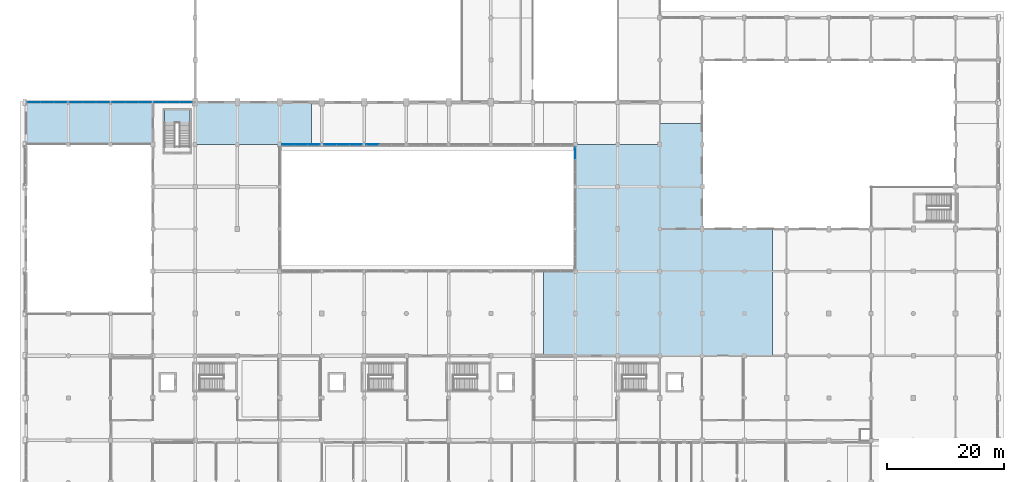
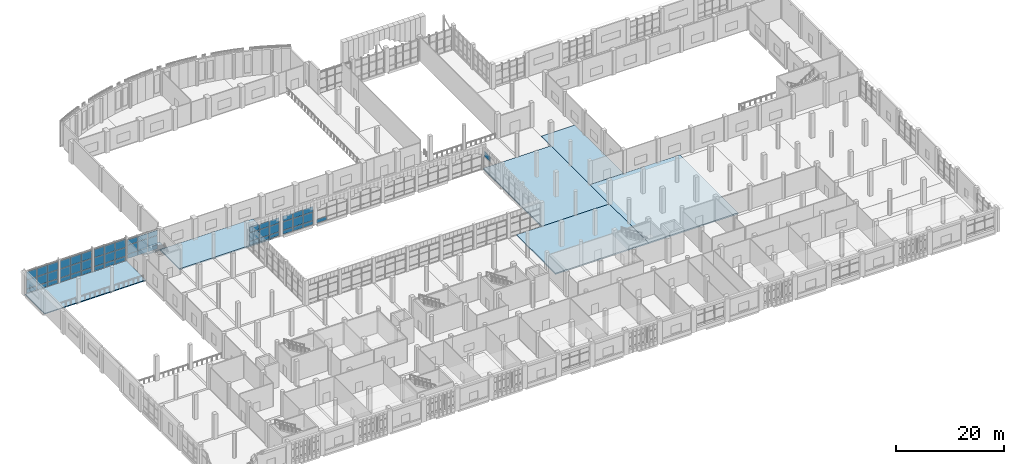
# One storey, part 39 of 80: 56 plates, 7 slabs, 9 elements without a shape of their own.
"""IFC4 building model written with IfcOpenShell, lengths in metres."""

from ifc_helpers import new_model, si_unit, direction, frame, origin, origin_2d, place, context, subcontext, project, spatial, polyline, rectangle, outline, extrude, material, layer, layer_set, type_object, element, aggregate, save


model = new_model("IFC4")

# Units and contexts
model_context = context("Model", 3, precision=1e-05, world=origin(), true_north=direction((0.0, 1.0)))
body_context = subcontext(model_context, "Body", "Model", "MODEL_VIEW")
ifc_project = project(units=[si_unit("LENGTHUNIT", "METRE"), si_unit("AREAUNIT", "SQUARE_METRE"), si_unit("VOLUMEUNIT", "CUBIC_METRE"), si_unit("PLANEANGLEUNIT", "RADIAN"), si_unit("MASSUNIT", "GRAM", prefix="KILO")], contexts=[model_context])

# Site, building, storey
site_placement = place(None, origin())
site = spatial("IfcSite", under=ifc_project, at=site_placement, CompositionType="ELEMENT")
building_placement = place(site_placement, origin())
building = spatial("IfcBuilding", under=site, at=building_placement, Name="Sardonyx Promenade Sports Hall", CompositionType="ELEMENT")
storey_placement = place(building_placement, frame((0.0, 0.0, 5.60009765625)))
storey = spatial("IfcBuildingStorey", under=building, at=storey_placement, Name="L01", CompositionType="ELEMENT", Elevation=5.60009765625)

# Curtain wall, plates
ifc_material_1 = material(Name="Aluminium 6063-T6", Category="aluminium")
curtain_wall_type_1 = type_object("IfcCurtainWallType", Name="CW_Riwaq_L01_640", PredefinedType="USERDEFINED", material=ifc_material_1)
curtain_wall_1_placement = place(storey_placement, origin())
curtain_wall_1 = element("IfcCurtainWall", 1, at=curtain_wall_1_placement, inside=storey, type_object=curtain_wall_type_1, Name="Curtain wall CW18 cw:L01:127", ObjectType="CURTAIN WALL", PredefinedType="USERDEFINED")
ifc_material_2 = material(Name="Double-glazed acoustic IGU 32 mm", Category="glass")
ifc_layer_1 = layer(ifc_material_2, 0.031982421875)
ifc_layer_set_1 = layer_set([ifc_layer_1], Name="CW_Pan_Glz_32")
plate_type_1 = type_object("IfcPlateType", Name="CW_Pan_Glz_32", PredefinedType="CURTAIN_PANEL", material=ifc_layer_set_1)
plate_1_placement = place(storey_placement, frame((48.981689453125, 64.800048828125, 0.06494140625), z_axis=(0.0, 0.0, 1.0), x_axis=(-1.0, 0.0, 0.0)))
plate_1 = element("IfcPlate", 2, at=plate_1_placement, type_object=plate_type_1, Name="Curtain panel CP02 cw:L01:127 #1", PredefinedType="CURTAIN_PANEL", context=body_context, shape_type="SweptSolid", body=[
    extrude(rectangle(XDim=2.066650390625, YDim=0.031982421875, at=origin_2d()), origin(), (0.0, 0.0, 1.0), 0.8525390625),
])
plate_2_placement = place(storey_placement, frame((48.981689453125, 64.800048828125, 0.982421875), z_axis=(0.0, 0.0, 1.0), x_axis=(-1.0, 0.0, 0.0)))
plate_2 = element("IfcPlate", 3, at=plate_2_placement, type_object=plate_type_1, Name="Curtain panel CP02 cw:L01:127 #2", PredefinedType="CURTAIN_PANEL", context=body_context, shape_type="SweptSolid", body=[
    extrude(rectangle(XDim=2.066650390625, YDim=0.031982421875, at=origin_2d()), origin(), (0.0, 0.0, 1.0), 1.885009765625),
])
plate_3_placement = place(storey_placement, frame((48.981689453125, 64.800048828125, 2.9326171875), z_axis=(0.0, 0.0, 1.0), x_axis=(-1.0, 0.0, 0.0)))
plate_3 = element("IfcPlate", 4, at=plate_3_placement, type_object=plate_type_1, Name="Curtain panel CP02 cw:L01:127 #3", PredefinedType="CURTAIN_PANEL", context=body_context, shape_type="SweptSolid", body=[
    extrude(rectangle(XDim=2.066650390625, YDim=0.031982421875, at=origin_2d()), origin(), (0.0, 0.0, 1.0), 1.202392578125),
])
plate_4_placement = place(storey_placement, frame((46.85009765625, 64.800048828125, 0.06494140625), z_axis=(0.0, 0.0, 1.0), x_axis=(-1.0, 0.0, 0.0)))
plate_4 = element("IfcPlate", 5, at=plate_4_placement, type_object=plate_type_1, Name="Curtain panel CP02 cw:L01:127 #4", PredefinedType="CURTAIN_PANEL", context=body_context, shape_type="SweptSolid", body=[
    extrude(rectangle(XDim=2.066650390625, YDim=0.031982421875, at=origin_2d()), origin(), (0.0, 0.0, 1.0), 0.8525390625),
])
plate_5_placement = place(storey_placement, frame((46.85009765625, 64.800048828125, 0.982421875), z_axis=(0.0, 0.0, 1.0), x_axis=(-1.0, 0.0, 0.0)))
plate_5 = element("IfcPlate", 6, at=plate_5_placement, type_object=plate_type_1, Name="Curtain panel CP02 cw:L01:127 #5", PredefinedType="CURTAIN_PANEL", context=body_context, shape_type="SweptSolid", body=[
    extrude(rectangle(XDim=2.066650390625, YDim=0.031982421875, at=origin_2d()), origin(), (0.0, 0.0, 1.0), 1.885009765625),
])
plate_6_placement = place(storey_placement, frame((46.85009765625, 64.800048828125, 2.9326171875), z_axis=(0.0, 0.0, 1.0), x_axis=(-1.0, 0.0, 0.0)))
plate_6 = element("IfcPlate", 7, at=plate_6_placement, type_object=plate_type_1, Name="Curtain panel CP02 cw:L01:127 #6", PredefinedType="CURTAIN_PANEL", context=body_context, shape_type="SweptSolid", body=[
    extrude(rectangle(XDim=2.066650390625, YDim=0.031982421875, at=origin_2d()), origin(), (0.0, 0.0, 1.0), 1.202392578125),
])
plate_7_placement = place(storey_placement, frame((44.71826171875, 64.800048828125, 0.06494140625), z_axis=(0.0, 0.0, 1.0), x_axis=(-1.0, 0.0, 0.0)))
plate_7 = element("IfcPlate", 8, at=plate_7_placement, type_object=plate_type_1, Name="Curtain panel CP02 cw:L01:127 #7", PredefinedType="CURTAIN_PANEL", context=body_context, shape_type="SweptSolid", body=[
    extrude(rectangle(XDim=2.066650390625, YDim=0.031982421875, at=origin_2d()), origin(), (0.0, 0.0, 1.0), 0.8525390625),
])
plate_8_placement = place(storey_placement, frame((44.71826171875, 64.800048828125, 0.982421875), z_axis=(0.0, 0.0, 1.0), x_axis=(-1.0, 0.0, 0.0)))
plate_8 = element("IfcPlate", 9, at=plate_8_placement, type_object=plate_type_1, Name="Curtain panel CP02 cw:L01:127 #8", PredefinedType="CURTAIN_PANEL", context=body_context, shape_type="SweptSolid", body=[
    extrude(rectangle(XDim=2.066650390625, YDim=0.031982421875, at=origin_2d()), origin(), (0.0, 0.0, 1.0), 1.885009765625),
])
plate_9_placement = place(storey_placement, frame((44.71826171875, 64.800048828125, 2.9326171875), z_axis=(0.0, 0.0, 1.0), x_axis=(-1.0, 0.0, 0.0)))
plate_9 = element("IfcPlate", 10, at=plate_9_placement, type_object=plate_type_1, Name="Curtain panel CP02 cw:L01:127 #9", PredefinedType="CURTAIN_PANEL", context=body_context, shape_type="SweptSolid", body=[
    extrude(rectangle(XDim=2.066650390625, YDim=0.031982421875, at=origin_2d()), origin(), (0.0, 0.0, 1.0), 1.202392578125),
])
aggregate(curtain_wall_1, [plate_1, plate_2, plate_3, plate_4, plate_5, plate_6, plate_7, plate_8, plate_9])

curtain_wall_2_placement = place(storey_placement, origin())
curtain_wall_2 = element("IfcCurtainWall", 11, at=curtain_wall_2_placement, inside=storey, type_object=curtain_wall_type_1, Name="Curtain wall CW18 cw:L01:129", ObjectType="CURTAIN WALL", PredefinedType="USERDEFINED")
plate_10_placement = place(storey_placement, frame((56.1650390625, 64.800048828125, 0.06494140625), z_axis=(0.0, 0.0, 1.0), x_axis=(-1.0, 0.0, 0.0)))
plate_10 = element("IfcPlate", 12, at=plate_10_placement, type_object=plate_type_1, Name="Curtain panel CP02 cw:L01:129 #1", PredefinedType="CURTAIN_PANEL", context=body_context, shape_type="SweptSolid", body=[
    extrude(rectangle(XDim=2.10009765625, YDim=0.031982421875, at=origin_2d()), origin(), (0.0, 0.0, 1.0), 0.8525390625),
])
plate_11_placement = place(storey_placement, frame((56.1650390625, 64.800048828125, 0.982421875), z_axis=(0.0, 0.0, 1.0), x_axis=(-1.0, 0.0, 0.0)))
plate_11 = element("IfcPlate", 13, at=plate_11_placement, type_object=plate_type_1, Name="Curtain panel CP02 cw:L01:129 #2", PredefinedType="CURTAIN_PANEL", context=body_context, shape_type="SweptSolid", body=[
    extrude(rectangle(XDim=2.10009765625, YDim=0.031982421875, at=origin_2d()), origin(), (0.0, 0.0, 1.0), 1.885009765625),
])
plate_12_placement = place(storey_placement, frame((56.1650390625, 64.800048828125, 2.9326171875), z_axis=(0.0, 0.0, 1.0), x_axis=(-1.0, 0.0, 0.0)))
plate_12 = element("IfcPlate", 14, at=plate_12_placement, type_object=plate_type_1, Name="Curtain panel CP02 cw:L01:129 #3", PredefinedType="CURTAIN_PANEL", context=body_context, shape_type="SweptSolid", body=[
    extrude(rectangle(XDim=2.10009765625, YDim=0.031982421875, at=origin_2d()), origin(), (0.0, 0.0, 1.0), 1.202392578125),
])
plate_13_placement = place(storey_placement, frame((54.0, 64.800048828125, 0.06494140625), z_axis=(0.0, 0.0, 1.0), x_axis=(-1.0, 0.0, 0.0)))
plate_13 = element("IfcPlate", 15, at=plate_13_placement, type_object=plate_type_1, Name="Curtain panel CP02 cw:L01:129 #4", PredefinedType="CURTAIN_PANEL", context=body_context, shape_type="SweptSolid", body=[
    extrude(rectangle(XDim=2.10009765625, YDim=0.031982421875, at=origin_2d()), origin(), (0.0, 0.0, 1.0), 0.8525390625),
])
plate_14_placement = place(storey_placement, frame((54.0, 64.800048828125, 0.982421875), z_axis=(0.0, 0.0, 1.0), x_axis=(-1.0, 0.0, 0.0)))
plate_14 = element("IfcPlate", 16, at=plate_14_placement, type_object=plate_type_1, Name="Curtain panel CP02 cw:L01:129 #5", PredefinedType="CURTAIN_PANEL", context=body_context, shape_type="SweptSolid", body=[
    extrude(rectangle(XDim=2.10009765625, YDim=0.031982421875, at=origin_2d()), origin(), (0.0, 0.0, 1.0), 1.885009765625),
])
plate_15_placement = place(storey_placement, frame((54.0, 64.800048828125, 2.9326171875), z_axis=(0.0, 0.0, 1.0), x_axis=(-1.0, 0.0, 0.0)))
plate_15 = element("IfcPlate", 17, at=plate_15_placement, type_object=plate_type_1, Name="Curtain panel CP02 cw:L01:129 #6", PredefinedType="CURTAIN_PANEL", context=body_context, shape_type="SweptSolid", body=[
    extrude(rectangle(XDim=2.10009765625, YDim=0.031982421875, at=origin_2d()), origin(), (0.0, 0.0, 1.0), 1.202392578125),
])
plate_16_placement = place(storey_placement, frame((51.8349609375, 64.800048828125, 0.06494140625), z_axis=(0.0, 0.0, 1.0), x_axis=(-1.0, 0.0, 0.0)))
plate_16 = element("IfcPlate", 18, at=plate_16_placement, type_object=plate_type_1, Name="Curtain panel CP02 cw:L01:129 #7", PredefinedType="CURTAIN_PANEL", context=body_context, shape_type="SweptSolid", body=[
    extrude(rectangle(XDim=2.10009765625, YDim=0.031982421875, at=origin_2d()), origin(), (0.0, 0.0, 1.0), 0.8525390625),
])
plate_17_placement = place(storey_placement, frame((51.8349609375, 64.800048828125, 0.982421875), z_axis=(0.0, 0.0, 1.0), x_axis=(-1.0, 0.0, 0.0)))
plate_17 = element("IfcPlate", 19, at=plate_17_placement, type_object=plate_type_1, Name="Curtain panel CP02 cw:L01:129 #8", PredefinedType="CURTAIN_PANEL", context=body_context, shape_type="SweptSolid", body=[
    extrude(rectangle(XDim=2.10009765625, YDim=0.031982421875, at=origin_2d()), origin(), (0.0, 0.0, 1.0), 1.885009765625),
])
plate_18_placement = place(storey_placement, frame((51.8349609375, 64.800048828125, 2.9326171875), z_axis=(0.0, 0.0, 1.0), x_axis=(-1.0, 0.0, 0.0)))
plate_18 = element("IfcPlate", 20, at=plate_18_placement, type_object=plate_type_1, Name="Curtain panel CP02 cw:L01:129 #9", PredefinedType="CURTAIN_PANEL", context=body_context, shape_type="SweptSolid", body=[
    extrude(rectangle(XDim=2.10009765625, YDim=0.031982421875, at=origin_2d()), origin(), (0.0, 0.0, 1.0), 1.202392578125),
])
aggregate(curtain_wall_2, [plate_10, plate_11, plate_12, plate_13, plate_14, plate_15, plate_16, plate_17, plate_18])

# Curtain wall, plate
curtain_wall_3_placement = place(storey_placement, origin())
curtain_wall_3 = element("IfcCurtainWall", 21, at=curtain_wall_3_placement, inside=storey, type_object=curtain_wall_type_1, Name="Curtain wall CW18 cw:L01:131", ObjectType="CURTAIN WALL", PredefinedType="USERDEFINED")
plate_19_placement = place(storey_placement, frame((59.034912109375, 64.800048828125, 0.06494140625), z_axis=(0.0, 0.0, 1.0), x_axis=(-1.0, 0.0, 0.0)))
plate_19 = element("IfcPlate", 22, at=plate_19_placement, type_object=plate_type_1, Name="Curtain panel CP02 cw:L01:131 #7", PredefinedType="CURTAIN_PANEL", context=body_context, shape_type="SweptSolid", body=[
    extrude(rectangle(XDim=2.10009765625, YDim=0.031982421875, at=origin_2d()), origin(), (0.0, 0.0, 1.0), 0.8525390625),
])
aggregate(curtain_wall_3, [plate_19])

curtain_wall_4_placement = place(storey_placement, origin())
curtain_wall_4 = element("IfcCurtainWall", 23, at=curtain_wall_4_placement, inside=storey, type_object=curtain_wall_type_1, Name="Curtain wall CW18 cw:L01:145", ObjectType="CURTAIN WALL", PredefinedType="USERDEFINED")
plate_20_placement = place(storey_placement, frame((93.60009765625, 63.3232421875, 2.9326171875), z_axis=(0.0, 0.0, 1.0), x_axis=(0.0, 1.0, 0.0)))
plate_20 = element("IfcPlate", 24, at=plate_20_placement, type_object=plate_type_1, Name="Curtain panel CP02 cw:L01:145 #9", PredefinedType="CURTAIN_PANEL", context=body_context, shape_type="SweptSolid", body=[
    extrude(rectangle(XDim=2.083251953125, YDim=0.031982421875, at=origin_2d()), origin(), (0.0, 0.0, 1.0), 1.202392578125),
])
aggregate(curtain_wall_4, [plate_20])

# Curtain wall, plates
ifc_material_3 = material(Name="Aluminium 6063-T6", Category="aluminium")
curtain_wall_type_2 = type_object("IfcCurtainWallType", Name="CW_Climb_North_L01", PredefinedType="USERDEFINED", material=ifc_material_3)
curtain_wall_5_placement = place(storey_placement, origin())
curtain_wall_5 = element("IfcCurtainWall", 25, at=curtain_wall_5_placement, inside=storey, type_object=curtain_wall_type_2, Name="Curtain wall CW19 cw:L01:072", ObjectType="CURTAIN WALL", PredefinedType="USERDEFINED")
ifc_material_4 = material(Name="Laminated safety sports IGU 36 mm", Category="glass")
ifc_layer_2 = layer(ifc_material_4, 0.035888671875)
ifc_layer_set_2 = layer_set([ifc_layer_2], Name="CW_Pan_Glz_36")
plate_type_2 = type_object("IfcPlateType", Name="CW_Pan_Glz_36", PredefinedType="CURTAIN_PANEL", material=ifc_layer_set_2)
plate_21_placement = place(storey_placement, frame((1.336669921875, 72.0, 0.06982421875), z_axis=(0.0, 0.0, 1.0), x_axis=(1.0, 0.0, 0.0)))
plate_21 = element("IfcPlate", 26, at=plate_21_placement, type_object=plate_type_2, Name="Curtain panel CP03 cw:L01:072 #1", PredefinedType="CURTAIN_PANEL", context=body_context, shape_type="SweptSolid", body=[
    extrude(rectangle(XDim=2.193359375, YDim=0.035888671875, at=origin_2d()), origin(), (0.0, 0.0, 1.0), 0.945068359375),
])
plate_22_placement = place(storey_placement, frame((1.336669921875, 72.0, 1.0849609375), z_axis=(0.0, 0.0, 1.0), x_axis=(1.0, 0.0, 0.0)))
plate_22 = element("IfcPlate", 27, at=plate_22_placement, type_object=plate_type_2, Name="Curtain panel CP03 cw:L01:072 #2", PredefinedType="CURTAIN_PANEL", context=body_context, shape_type="SweptSolid", body=[
    extrude(rectangle(XDim=2.193359375, YDim=0.035888671875, at=origin_2d()), origin(), (0.0, 0.0, 1.0), 1.97998046875),
])
plate_23_placement = place(storey_placement, frame((1.336669921875, 72.0, 3.135009765625), z_axis=(0.0, 0.0, 1.0), x_axis=(1.0, 0.0, 0.0)))
plate_23 = element("IfcPlate", 28, at=plate_23_placement, type_object=plate_type_2, Name="Curtain panel CP03 cw:L01:072 #3", PredefinedType="CURTAIN_PANEL", context=body_context, shape_type="SweptSolid", body=[
    extrude(rectangle(XDim=2.193359375, YDim=0.035888671875, at=origin_2d()), origin(), (0.0, 0.0, 1.0), 1.794921875),
])
plate_24_placement = place(storey_placement, frame((3.60009765625, 72.0, 0.06982421875), z_axis=(0.0, 0.0, 1.0), x_axis=(1.0, 0.0, 0.0)))
plate_24 = element("IfcPlate", 29, at=plate_24_placement, type_object=plate_type_2, Name="Curtain panel CP03 cw:L01:072 #4", PredefinedType="CURTAIN_PANEL", context=body_context, shape_type="SweptSolid", body=[
    extrude(rectangle(XDim=2.193359375, YDim=0.035888671875, at=origin_2d()), origin(), (0.0, 0.0, 1.0), 0.945068359375),
])
plate_25_placement = place(storey_placement, frame((3.60009765625, 72.0, 1.0849609375), z_axis=(0.0, 0.0, 1.0), x_axis=(1.0, 0.0, 0.0)))
plate_25 = element("IfcPlate", 30, at=plate_25_placement, type_object=plate_type_2, Name="Curtain panel CP03 cw:L01:072 #5", PredefinedType="CURTAIN_PANEL", context=body_context, shape_type="SweptSolid", body=[
    extrude(rectangle(XDim=2.193359375, YDim=0.035888671875, at=origin_2d()), origin(), (0.0, 0.0, 1.0), 1.97998046875),
])
plate_26_placement = place(storey_placement, frame((3.60009765625, 72.0, 3.135009765625), z_axis=(0.0, 0.0, 1.0), x_axis=(1.0, 0.0, 0.0)))
plate_26 = element("IfcPlate", 31, at=plate_26_placement, type_object=plate_type_2, Name="Curtain panel CP03 cw:L01:072 #6", PredefinedType="CURTAIN_PANEL", context=body_context, shape_type="SweptSolid", body=[
    extrude(rectangle(XDim=2.193359375, YDim=0.035888671875, at=origin_2d()), origin(), (0.0, 0.0, 1.0), 1.794921875),
])
plate_27_placement = place(storey_placement, frame((5.86328125, 72.0, 0.06982421875), z_axis=(0.0, 0.0, 1.0), x_axis=(1.0, 0.0, 0.0)))
plate_27 = element("IfcPlate", 32, at=plate_27_placement, type_object=plate_type_2, Name="Curtain panel CP03 cw:L01:072 #7", PredefinedType="CURTAIN_PANEL", context=body_context, shape_type="SweptSolid", body=[
    extrude(rectangle(XDim=2.193359375, YDim=0.035888671875, at=origin_2d()), origin(), (0.0, 0.0, 1.0), 0.945068359375),
])
plate_28_placement = place(storey_placement, frame((5.86328125, 72.0, 1.0849609375), z_axis=(0.0, 0.0, 1.0), x_axis=(1.0, 0.0, 0.0)))
plate_28 = element("IfcPlate", 33, at=plate_28_placement, type_object=plate_type_2, Name="Curtain panel CP03 cw:L01:072 #8", PredefinedType="CURTAIN_PANEL", context=body_context, shape_type="SweptSolid", body=[
    extrude(rectangle(XDim=2.193359375, YDim=0.035888671875, at=origin_2d()), origin(), (0.0, 0.0, 1.0), 1.97998046875),
])
plate_29_placement = place(storey_placement, frame((5.86328125, 72.0, 3.135009765625), z_axis=(0.0, 0.0, 1.0), x_axis=(1.0, 0.0, 0.0)))
plate_29 = element("IfcPlate", 34, at=plate_29_placement, type_object=plate_type_2, Name="Curtain panel CP03 cw:L01:072 #9", PredefinedType="CURTAIN_PANEL", context=body_context, shape_type="SweptSolid", body=[
    extrude(rectangle(XDim=2.193359375, YDim=0.035888671875, at=origin_2d()), origin(), (0.0, 0.0, 1.0), 1.794921875),
])
aggregate(curtain_wall_5, [plate_21, plate_22, plate_23, plate_24, plate_25, plate_26, plate_27, plate_28, plate_29])

curtain_wall_6_placement = place(storey_placement, origin())
curtain_wall_6 = element("IfcCurtainWall", 35, at=curtain_wall_6_placement, inside=storey, type_object=curtain_wall_type_2, Name="Curtain wall CW19 cw:L01:073", ObjectType="CURTAIN WALL", PredefinedType="USERDEFINED")
plate_30_placement = place(storey_placement, frame((8.53662109375, 72.0, 0.06982421875), z_axis=(0.0, 0.0, 1.0), x_axis=(1.0, 0.0, 0.0)))
plate_30 = element("IfcPlate", 36, at=plate_30_placement, type_object=plate_type_2, Name="Curtain panel CP03 cw:L01:073 #1", PredefinedType="CURTAIN_PANEL", context=body_context, shape_type="SweptSolid", body=[
    extrude(rectangle(XDim=2.193359375, YDim=0.035888671875, at=origin_2d()), origin(), (0.0, 0.0, 1.0), 0.945068359375),
])
plate_31_placement = place(storey_placement, frame((8.53662109375, 72.0, 1.0849609375), z_axis=(0.0, 0.0, 1.0), x_axis=(1.0, 0.0, 0.0)))
plate_31 = element("IfcPlate", 37, at=plate_31_placement, type_object=plate_type_2, Name="Curtain panel CP03 cw:L01:073 #2", PredefinedType="CURTAIN_PANEL", context=body_context, shape_type="SweptSolid", body=[
    extrude(rectangle(XDim=2.193359375, YDim=0.035888671875, at=origin_2d()), origin(), (0.0, 0.0, 1.0), 1.97998046875),
])
plate_32_placement = place(storey_placement, frame((8.53662109375, 72.0, 3.135009765625), z_axis=(0.0, 0.0, 1.0), x_axis=(1.0, 0.0, 0.0)))
plate_32 = element("IfcPlate", 38, at=plate_32_placement, type_object=plate_type_2, Name="Curtain panel CP03 cw:L01:073 #3", PredefinedType="CURTAIN_PANEL", context=body_context, shape_type="SweptSolid", body=[
    extrude(rectangle(XDim=2.193359375, YDim=0.035888671875, at=origin_2d()), origin(), (0.0, 0.0, 1.0), 1.794921875),
])
plate_33_placement = place(storey_placement, frame((10.800048828125, 72.0, 0.06982421875), z_axis=(0.0, 0.0, 1.0), x_axis=(1.0, 0.0, 0.0)))
plate_33 = element("IfcPlate", 39, at=plate_33_placement, type_object=plate_type_2, Name="Curtain panel CP03 cw:L01:073 #4", PredefinedType="CURTAIN_PANEL", context=body_context, shape_type="SweptSolid", body=[
    extrude(rectangle(XDim=2.193359375, YDim=0.035888671875, at=origin_2d()), origin(), (0.0, 0.0, 1.0), 0.945068359375),
])
plate_34_placement = place(storey_placement, frame((10.800048828125, 72.0, 1.0849609375), z_axis=(0.0, 0.0, 1.0), x_axis=(1.0, 0.0, 0.0)))
plate_34 = element("IfcPlate", 40, at=plate_34_placement, type_object=plate_type_2, Name="Curtain panel CP03 cw:L01:073 #5", PredefinedType="CURTAIN_PANEL", context=body_context, shape_type="SweptSolid", body=[
    extrude(rectangle(XDim=2.193359375, YDim=0.035888671875, at=origin_2d()), origin(), (0.0, 0.0, 1.0), 1.97998046875),
])
plate_35_placement = place(storey_placement, frame((10.800048828125, 72.0, 3.135009765625), z_axis=(0.0, 0.0, 1.0), x_axis=(1.0, 0.0, 0.0)))
plate_35 = element("IfcPlate", 41, at=plate_35_placement, type_object=plate_type_2, Name="Curtain panel CP03 cw:L01:073 #6", PredefinedType="CURTAIN_PANEL", context=body_context, shape_type="SweptSolid", body=[
    extrude(rectangle(XDim=2.193359375, YDim=0.035888671875, at=origin_2d()), origin(), (0.0, 0.0, 1.0), 1.794921875),
])
plate_36_placement = place(storey_placement, frame((13.063232421875, 72.0, 0.06982421875), z_axis=(0.0, 0.0, 1.0), x_axis=(1.0, 0.0, 0.0)))
plate_36 = element("IfcPlate", 42, at=plate_36_placement, type_object=plate_type_2, Name="Curtain panel CP03 cw:L01:073 #7", PredefinedType="CURTAIN_PANEL", context=body_context, shape_type="SweptSolid", body=[
    extrude(rectangle(XDim=2.193359375, YDim=0.035888671875, at=origin_2d()), origin(), (0.0, 0.0, 1.0), 0.945068359375),
])
plate_37_placement = place(storey_placement, frame((13.063232421875, 72.0, 1.0849609375), z_axis=(0.0, 0.0, 1.0), x_axis=(1.0, 0.0, 0.0)))
plate_37 = element("IfcPlate", 43, at=plate_37_placement, type_object=plate_type_2, Name="Curtain panel CP03 cw:L01:073 #8", PredefinedType="CURTAIN_PANEL", context=body_context, shape_type="SweptSolid", body=[
    extrude(rectangle(XDim=2.193359375, YDim=0.035888671875, at=origin_2d()), origin(), (0.0, 0.0, 1.0), 1.97998046875),
])
plate_38_placement = place(storey_placement, frame((13.063232421875, 72.0, 3.135009765625), z_axis=(0.0, 0.0, 1.0), x_axis=(1.0, 0.0, 0.0)))
plate_38 = element("IfcPlate", 44, at=plate_38_placement, type_object=plate_type_2, Name="Curtain panel CP03 cw:L01:073 #9", PredefinedType="CURTAIN_PANEL", context=body_context, shape_type="SweptSolid", body=[
    extrude(rectangle(XDim=2.193359375, YDim=0.035888671875, at=origin_2d()), origin(), (0.0, 0.0, 1.0), 1.794921875),
])
aggregate(curtain_wall_6, [plate_30, plate_31, plate_32, plate_33, plate_34, plate_35, plate_36, plate_37, plate_38])

curtain_wall_7_placement = place(storey_placement, origin())
curtain_wall_7 = element("IfcCurtainWall", 45, at=curtain_wall_7_placement, inside=storey, type_object=curtain_wall_type_2, Name="Curtain wall CW19 cw:L01:074", ObjectType="CURTAIN WALL", PredefinedType="USERDEFINED")
plate_39_placement = place(storey_placement, frame((15.736572265625, 72.0, 0.06982421875), z_axis=(0.0, 0.0, 1.0), x_axis=(1.0, 0.0, 0.0)))
plate_39 = element("IfcPlate", 46, at=plate_39_placement, type_object=plate_type_2, Name="Curtain panel CP03 cw:L01:074 #1", PredefinedType="CURTAIN_PANEL", context=body_context, shape_type="SweptSolid", body=[
    extrude(rectangle(XDim=2.193359375, YDim=0.035888671875, at=origin_2d()), origin(), (0.0, 0.0, 1.0), 0.945068359375),
])
plate_40_placement = place(storey_placement, frame((15.736572265625, 72.0, 1.0849609375), z_axis=(0.0, 0.0, 1.0), x_axis=(1.0, 0.0, 0.0)))
plate_40 = element("IfcPlate", 47, at=plate_40_placement, type_object=plate_type_2, Name="Curtain panel CP03 cw:L01:074 #2", PredefinedType="CURTAIN_PANEL", context=body_context, shape_type="SweptSolid", body=[
    extrude(rectangle(XDim=2.193359375, YDim=0.035888671875, at=origin_2d()), origin(), (0.0, 0.0, 1.0), 1.97998046875),
])
plate_41_placement = place(storey_placement, frame((15.736572265625, 72.0, 3.135009765625), z_axis=(0.0, 0.0, 1.0), x_axis=(1.0, 0.0, 0.0)))
plate_41 = element("IfcPlate", 48, at=plate_41_placement, type_object=plate_type_2, Name="Curtain panel CP03 cw:L01:074 #3", PredefinedType="CURTAIN_PANEL", context=body_context, shape_type="SweptSolid", body=[
    extrude(rectangle(XDim=2.193359375, YDim=0.035888671875, at=origin_2d()), origin(), (0.0, 0.0, 1.0), 1.794921875),
])
plate_42_placement = place(storey_placement, frame((18.0, 72.0, 0.06982421875), z_axis=(0.0, 0.0, 1.0), x_axis=(1.0, 0.0, 0.0)))
plate_42 = element("IfcPlate", 49, at=plate_42_placement, type_object=plate_type_2, Name="Curtain panel CP03 cw:L01:074 #4", PredefinedType="CURTAIN_PANEL", context=body_context, shape_type="SweptSolid", body=[
    extrude(rectangle(XDim=2.193359375, YDim=0.035888671875, at=origin_2d()), origin(), (0.0, 0.0, 1.0), 0.945068359375),
])
plate_43_placement = place(storey_placement, frame((18.0, 72.0, 1.0849609375), z_axis=(0.0, 0.0, 1.0), x_axis=(1.0, 0.0, 0.0)))
plate_43 = element("IfcPlate", 50, at=plate_43_placement, type_object=plate_type_2, Name="Curtain panel CP03 cw:L01:074 #5", PredefinedType="CURTAIN_PANEL", context=body_context, shape_type="SweptSolid", body=[
    extrude(rectangle(XDim=2.193359375, YDim=0.035888671875, at=origin_2d()), origin(), (0.0, 0.0, 1.0), 1.97998046875),
])
plate_44_placement = place(storey_placement, frame((18.0, 72.0, 3.135009765625), z_axis=(0.0, 0.0, 1.0), x_axis=(1.0, 0.0, 0.0)))
plate_44 = element("IfcPlate", 51, at=plate_44_placement, type_object=plate_type_2, Name="Curtain panel CP03 cw:L01:074 #6", PredefinedType="CURTAIN_PANEL", context=body_context, shape_type="SweptSolid", body=[
    extrude(rectangle(XDim=2.193359375, YDim=0.035888671875, at=origin_2d()), origin(), (0.0, 0.0, 1.0), 1.794921875),
])
plate_45_placement = place(storey_placement, frame((20.263427734375, 72.0, 0.06982421875), z_axis=(0.0, 0.0, 1.0), x_axis=(1.0, 0.0, 0.0)))
plate_45 = element("IfcPlate", 52, at=plate_45_placement, type_object=plate_type_2, Name="Curtain panel CP03 cw:L01:074 #7", PredefinedType="CURTAIN_PANEL", context=body_context, shape_type="SweptSolid", body=[
    extrude(rectangle(XDim=2.193359375, YDim=0.035888671875, at=origin_2d()), origin(), (0.0, 0.0, 1.0), 0.945068359375),
])
plate_46_placement = place(storey_placement, frame((20.263427734375, 72.0, 1.0849609375), z_axis=(0.0, 0.0, 1.0), x_axis=(1.0, 0.0, 0.0)))
plate_46 = element("IfcPlate", 53, at=plate_46_placement, type_object=plate_type_2, Name="Curtain panel CP03 cw:L01:074 #8", PredefinedType="CURTAIN_PANEL", context=body_context, shape_type="SweptSolid", body=[
    extrude(rectangle(XDim=2.193359375, YDim=0.035888671875, at=origin_2d()), origin(), (0.0, 0.0, 1.0), 1.97998046875),
])
plate_47_placement = place(storey_placement, frame((20.263427734375, 72.0, 3.135009765625), z_axis=(0.0, 0.0, 1.0), x_axis=(1.0, 0.0, 0.0)))
plate_47 = element("IfcPlate", 54, at=plate_47_placement, type_object=plate_type_2, Name="Curtain panel CP03 cw:L01:074 #9", PredefinedType="CURTAIN_PANEL", context=body_context, shape_type="SweptSolid", body=[
    extrude(rectangle(XDim=2.193359375, YDim=0.035888671875, at=origin_2d()), origin(), (0.0, 0.0, 1.0), 1.794921875),
])
aggregate(curtain_wall_7, [plate_39, plate_40, plate_41, plate_42, plate_43, plate_44, plate_45, plate_46, plate_47])

curtain_wall_8_placement = place(storey_placement, origin())
curtain_wall_8 = element("IfcCurtainWall", 55, at=curtain_wall_8_placement, inside=storey, type_object=curtain_wall_type_2, Name="Curtain wall CW19 cw:L01:075", ObjectType="CURTAIN WALL", PredefinedType="USERDEFINED")
plate_48_placement = place(storey_placement, frame((22.88671875, 72.0, 0.36962890625), z_axis=(0.0, 0.0, 1.0), x_axis=(1.0, 0.0, 0.0)))
plate_48 = element("IfcPlate", 56, at=plate_48_placement, type_object=plate_type_2, Name="Curtain panel CP03 cw:L01:075 #1", PredefinedType="CURTAIN_PANEL", context=body_context, shape_type="SweptSolid", body=[
    extrude(rectangle(XDim=2.09326171875, YDim=0.035888671875, at=origin_2d()), origin(), (0.0, 0.0, 1.0), 0.945068359375),
])
plate_49_placement = place(storey_placement, frame((22.88671875, 72.0, 1.385009765625), z_axis=(0.0, 0.0, 1.0), x_axis=(1.0, 0.0, 0.0)))
plate_49 = element("IfcPlate", 57, at=plate_49_placement, type_object=plate_type_2, Name="Curtain panel CP03 cw:L01:075 #2", PredefinedType="CURTAIN_PANEL", context=body_context, shape_type="SweptSolid", body=[
    extrude(rectangle(XDim=2.09326171875, YDim=0.035888671875, at=origin_2d()), origin(), (0.0, 0.0, 1.0), 1.97998046875),
])
plate_50_placement = place(storey_placement, frame((22.88671875, 72.0, 3.43505859375), z_axis=(0.0, 0.0, 1.0), x_axis=(1.0, 0.0, 0.0)))
plate_50 = element("IfcPlate", 58, at=plate_50_placement, type_object=plate_type_2, Name="Curtain panel CP03 cw:L01:075 #3", PredefinedType="CURTAIN_PANEL", context=body_context, shape_type="SweptSolid", body=[
    extrude(rectangle(XDim=2.09326171875, YDim=0.035888671875, at=origin_2d()), origin(), (0.0, 0.0, 1.0), 1.179931640625),
])
plate_51_placement = place(storey_placement, frame((25.050048828125, 72.0, 0.36962890625), z_axis=(0.0, 0.0, 1.0), x_axis=(1.0, 0.0, 0.0)))
plate_51 = element("IfcPlate", 59, at=plate_51_placement, type_object=plate_type_2, Name="Curtain panel CP03 cw:L01:075 #4", PredefinedType="CURTAIN_PANEL", context=body_context, shape_type="SweptSolid", body=[
    extrude(rectangle(XDim=2.09326171875, YDim=0.035888671875, at=origin_2d()), origin(), (0.0, 0.0, 1.0), 0.945068359375),
])
plate_52_placement = place(storey_placement, frame((25.050048828125, 72.0, 1.385009765625), z_axis=(0.0, 0.0, 1.0), x_axis=(1.0, 0.0, 0.0)))
plate_52 = element("IfcPlate", 60, at=plate_52_placement, type_object=plate_type_2, Name="Curtain panel CP03 cw:L01:075 #5", PredefinedType="CURTAIN_PANEL", context=body_context, shape_type="SweptSolid", body=[
    extrude(rectangle(XDim=2.09326171875, YDim=0.035888671875, at=origin_2d()), origin(), (0.0, 0.0, 1.0), 1.97998046875),
])
plate_53_placement = place(storey_placement, frame((25.050048828125, 72.0, 3.43505859375), z_axis=(0.0, 0.0, 1.0), x_axis=(1.0, 0.0, 0.0)))
plate_53 = element("IfcPlate", 61, at=plate_53_placement, type_object=plate_type_2, Name="Curtain panel CP03 cw:L01:075 #6", PredefinedType="CURTAIN_PANEL", context=body_context, shape_type="SweptSolid", body=[
    extrude(rectangle(XDim=2.09326171875, YDim=0.035888671875, at=origin_2d()), origin(), (0.0, 0.0, 1.0), 1.179931640625),
])
plate_54_placement = place(storey_placement, frame((27.21337890625, 72.0, 0.36962890625), z_axis=(0.0, 0.0, 1.0), x_axis=(1.0, 0.0, 0.0)))
plate_54 = element("IfcPlate", 62, at=plate_54_placement, type_object=plate_type_2, Name="Curtain panel CP03 cw:L01:075 #7", PredefinedType="CURTAIN_PANEL", context=body_context, shape_type="SweptSolid", body=[
    extrude(rectangle(XDim=2.09326171875, YDim=0.035888671875, at=origin_2d()), origin(), (0.0, 0.0, 1.0), 0.945068359375),
])
plate_55_placement = place(storey_placement, frame((27.21337890625, 72.0, 1.385009765625), z_axis=(0.0, 0.0, 1.0), x_axis=(1.0, 0.0, 0.0)))
plate_55 = element("IfcPlate", 63, at=plate_55_placement, type_object=plate_type_2, Name="Curtain panel CP03 cw:L01:075 #8", PredefinedType="CURTAIN_PANEL", context=body_context, shape_type="SweptSolid", body=[
    extrude(rectangle(XDim=2.09326171875, YDim=0.035888671875, at=origin_2d()), origin(), (0.0, 0.0, 1.0), 1.97998046875),
])
plate_56_placement = place(storey_placement, frame((27.21337890625, 72.0, 3.43505859375), z_axis=(0.0, 0.0, 1.0), x_axis=(1.0, 0.0, 0.0)))
plate_56 = element("IfcPlate", 64, at=plate_56_placement, type_object=plate_type_2, Name="Curtain panel CP03 cw:L01:075 #9", PredefinedType="CURTAIN_PANEL", context=body_context, shape_type="SweptSolid", body=[
    extrude(rectangle(XDim=2.09326171875, YDim=0.035888671875, at=origin_2d()), origin(), (0.0, 0.0, 1.0), 1.179931640625),
])
aggregate(curtain_wall_8, [plate_48, plate_49, plate_50, plate_51, plate_52, plate_53, plate_54, plate_55, plate_56])

# Stair, slab
ifc_material_5 = material(Name="Concrete C40/50", Category="concrete")
stair_type = type_object("IfcStairType", Name="Stair_Esc_Std_560", PredefinedType="HALF_TURN_STAIR", material=ifc_material_5)
stair_placement = place(storey_placement, origin())
stair = element("IfcStair", 65, at=stair_placement, inside=storey, type_object=stair_type, Name="Protected escape stair ST7 (L01 to L02)", PredefinedType="HALF_TURN_STAIR")
ifc_material_6 = material(Name="Concrete C40/50", Category="concrete")
ifc_layer_3 = layer(ifc_material_6, 0.260009765625)
ifc_layer_set_3 = layer_set([ifc_layer_3], Name="Land_Stair_260")
slab_type_1 = type_object("IfcSlabType", Name="Land_Stair_260", PredefinedType="LANDING", material=ifc_layer_set_3)
slab_1_placement = place(storey_placement, frame((0.0, 0.0, 2.539794921875)))
slab_1 = element("IfcSlab", 66, at=slab_1_placement, type_object=slab_type_1, Name="Stair half-landing ST7 L01", PredefinedType="LANDING", context=body_context, shape_type="SweptSolid", body=[
    extrude(outline(polyline([(27.925048828125, 68.5400390625), (27.925048828125, 70.64990234375), (23.574951171875, 70.64990234375), (23.574951171875, 68.5400390625), (27.925048828125, 68.5400390625)])), origin(), (0.0, 0.0, 1.0), 0.260009765625),
])
aggregate(stair, [slab_1])

# Slabs
ifc_material_7 = material(Name="Concrete C40/50", Category="concrete")
ifc_layer_4 = layer(ifc_material_7, 0.2900390625)
ifc_layer_set_4 = layer_set([ifc_layer_4], Name="Slab_Ext_Loggia_220")
slab_type_2 = type_object("IfcSlabType", Name="Slab_Ext_Loggia_220", PredefinedType="FLOOR", material=ifc_layer_set_4)
slab_2_placement = place(storey_placement, frame((0.0, 0.0, -0.2900390625)))
element("IfcSlab", 67, at=slab_2_placement, inside=storey, type_object=slab_type_2, Name="Slab TS03 L01 #140", PredefinedType="FLOOR", context=body_context, shape_type="SweptSolid", body=[
    extrude(outline(polyline([(88.199951171875, 28.800048828125), (108.0, 28.800048828125), (108.0, 43.199951171875), (88.199951171875, 43.199951171875), (88.199951171875, 28.800048828125)])), origin(), (0.0, 0.0, 1.0), 0.2900390625),
])
slab_3_placement = place(storey_placement, frame((0.0, 0.0, -0.2900390625)))
element("IfcSlab", 68, at=slab_3_placement, inside=storey, type_object=slab_type_2, Name="Slab TS03 L01 #141", PredefinedType="FLOOR", context=body_context, shape_type="SweptSolid", body=[
    extrude(outline(polyline([(28.800048828125, 64.800048828125), (48.60009765625, 64.800048828125), (48.60009765625, 72.0), (28.800048828125, 72.0), (28.800048828125, 64.800048828125)])), origin(), (0.0, 0.0, 1.0), 0.2900390625),
])
slab_4_placement = place(storey_placement, frame((0.0, 0.0, -0.2900390625)))
element("IfcSlab", 69, at=slab_4_placement, inside=storey, type_object=slab_type_2, Name="Slab TS03 L01 #146", PredefinedType="FLOOR", context=body_context, shape_type="SweptSolid", body=[
    extrude(outline(polyline([(93.60009765625, 43.199951171875), (108.0, 43.199951171875), (108.0, 64.800048828125), (93.60009765625, 64.800048828125), (93.60009765625, 43.199951171875)])), origin(), (0.0, 0.0, 1.0), 0.2900390625),
])
slab_5_placement = place(storey_placement, frame((0.0, 0.0, -0.2900390625)))
element("IfcSlab", 70, at=slab_5_placement, inside=storey, type_object=slab_type_2, Name="Slab TS03 L01 #151", PredefinedType="FLOOR", context=body_context, shape_type="SweptSolid", body=[
    extrude(outline(polyline([(108.0, 28.800048828125), (127.199951171875, 28.800048828125), (127.199951171875, 50.39990234375), (108.0, 50.39990234375), (108.0, 28.800048828125)])), origin(), (0.0, 0.0, 1.0), 0.2900390625),
])
ifc_material_8 = material(Name="Concrete C40/50", Category="concrete")
ifc_layer_5 = layer(ifc_material_8, 0.219970703125)
ifc_layer_set_5 = layer_set([ifc_layer_5], Name="Slab_Floor_Gallery_220")
slab_type_3 = type_object("IfcSlabType", Name="Slab_Floor_Gallery_220", PredefinedType="FLOOR", material=ifc_layer_set_5)
slab_6_placement = place(storey_placement, frame((0.0, 0.0, -0.22021484375)))
element("IfcSlab", 71, at=slab_6_placement, inside=storey, type_object=slab_type_3, Name="Slab FS04 L01 #110", PredefinedType="FLOOR", context=body_context, shape_type="SweptSolid", body=[
    extrude(outline(polyline([(108.0, 50.39990234375), (115.199951171875, 50.39990234375), (115.199951171875, 68.39990234375), (108.0, 68.39990234375), (108.0, 50.39990234375)])), origin(), (0.0, 0.0, 1.0), 0.22021484375),
])
ifc_material_9 = material(Name="Concrete C40/50", Category="concrete")
ifc_layer_6 = layer(ifc_material_9, 0.199951171875)
ifc_layer_set_6 = layer_set([ifc_layer_6], Name="Slab_Floor_Mezz_200")
slab_type_4 = type_object("IfcSlabType", Name="Slab_Floor_Mezz_200", PredefinedType="FLOOR", material=ifc_layer_set_6)
slab_7_placement = place(storey_placement, frame((0.0, 0.0, -0.2001953125)))
element("IfcSlab", 72, at=slab_7_placement, inside=storey, type_object=slab_type_4, Name="Slab FS05 L01 #120", PredefinedType="FLOOR", context=body_context, shape_type="SweptSolid", body=[
    extrude(outline(polyline([(0.0, 64.800048828125), (21.60009765625, 64.800048828125), (21.60009765625, 72.0), (0.0, 72.0), (0.0, 64.800048828125)])), origin(), (0.0, 0.0, 1.0), 0.2001953125),
])

save(model, "model.ifc")
